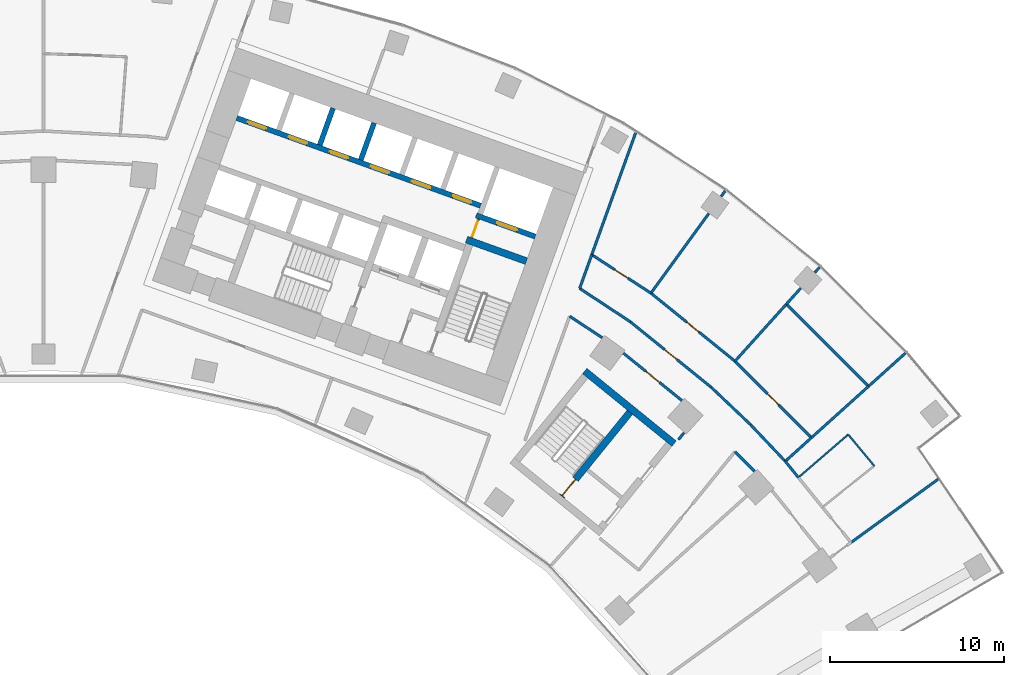
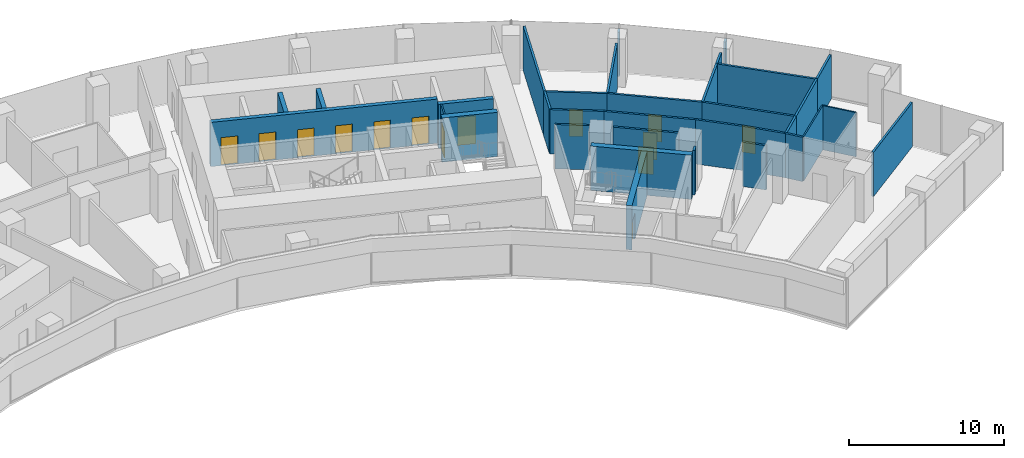
# One storey, part 17 of 20: 34 walls, 14 doors, 14 openings.
"""IFC4 building model written with IfcOpenShell, lengths in metres."""

from ifc_helpers import new_model, si_unit, direction, frame, frame_2d, origin, place, context, subcontext, project, spatial, rectangle, extrude, material, layer, layer_set, type_object, element, fill, save


model = new_model("IFC4")

# Units and contexts
model_context = context("Model", 3, precision=1e-05, world=origin(), true_north=direction((0.0, 1.0)))
body_context = subcontext(model_context, "Body", "Model", "MODEL_VIEW")
ifc_project = project(units=[si_unit("LENGTHUNIT", "METRE"), si_unit("AREAUNIT", "SQUARE_METRE"), si_unit("VOLUMEUNIT", "CUBIC_METRE"), si_unit("PLANEANGLEUNIT", "RADIAN"), si_unit("MASSUNIT", "GRAM", prefix="KILO")], contexts=[model_context])

# Site, building, storey
site_placement = place(None, origin())
site = spatial("IfcSite", under=ifc_project, at=site_placement, CompositionType="ELEMENT")
building_placement = place(site_placement, origin())
building = spatial("IfcBuilding", under=site, at=building_placement, Name="Stone Belt Terrace Tower", CompositionType="ELEMENT")
storey_placement = place(building_placement, frame((0.0, 0.0, 106.0)))
storey = spatial("IfcBuildingStorey", under=building, at=storey_placement, Name="L25", CompositionType="ELEMENT", Elevation=106.0)

# Wall, opening, door
ifc_material_1 = material(Name="Plasterboard partition")
ifc_layer_1 = layer(ifc_material_1, 0.10009765625)
ifc_layer_set_1 = layer_set([ifc_layer_1], Name="Core partition 100")
wall_type_1 = type_object("IfcWallType", Name="Core partition 100", PredefinedType="PARTITIONING", material=ifc_layer_set_1)
wall_1_placement = place(storey_placement, frame((24.555908203125, 51.10400390625, 0.0), z_axis=(0.0, 0.0, 1.0), x_axis=(0.338621735342, 0.94092258999, 0.0)))
wall_1 = element("IfcWall", 1, at=wall_1_placement, inside=storey, type_object=wall_type_1, Name="Core B wall", PredefinedType="PARTITIONING", context=body_context, shape_type="SweptSolid", body=[
    extrude(rectangle(XDim=1.14990234375, YDim=0.10009765625, at=frame_2d((0.574951171875, 0.0))), origin(), (0.0, 0.0, 1.0), 3.47998046875),
])
opening_1_placement = place(wall_1_placement, frame((0.050048828125, 0.0, 0.0)))
opening_1 = element("IfcOpeningElement", 2, at=opening_1_placement, cuts=wall_1, Name="Opening L25-C10", PredefinedType="OPENING", context=body_context, shape_type="SweptSolid", body=[
    extrude(rectangle(XDim=1.0, YDim=2.10009765625, at=frame_2d((0.5, 1.050048828125))), frame((0.0, 0.06005859375, 0.0), z_axis=(0.0, -1.0, 0.0), x_axis=(1.0, 0.0, 0.0)), (0.0, 0.0, 1.0), 0.1201171875),
])
ifc_material_2 = material(Name="Timber door leaf", Category="wood")
door_type_1 = type_object("IfcDoorType", Name="Core room door 1000", OperationType="SINGLE_SWING_LEFT", PredefinedType="DOOR", material=ifc_material_2)
door_1_placement = place(opening_1_placement, origin())
door_1 = element("IfcDoor", 3, at=door_1_placement, inside=storey, type_object=door_type_1, Name="Service lift lobby door core B", OperationType="SINGLE_SWING_LEFT", OverallHeight=2.10009765625, OverallWidth=1.0, PredefinedType="DOOR", context=body_context, shape_type="SweptSolid", body=[
    extrude(rectangle(XDim=1.0, YDim=2.10009765625, at=frame_2d((0.5, 1.050048828125))), frame((0.0, 0.02490234375, 0.0), z_axis=(0.0, -1.0, 0.0), x_axis=(1.0, 0.0, 0.0)), (0.0, 0.0, 1.0), 0.050048828125),
])
fill(opening_1, door_1)

ifc_material_3 = material(Name="Concrete B80", Category="concrete")
ifc_layer_2 = layer(ifc_material_3, 0.300048828125)
ifc_layer_set_2 = layer_set([ifc_layer_2], Name="Lift shaft wall 300")
wall_type_2 = type_object("IfcWallType", Name="Lift shaft wall 300", PredefinedType="SHEAR", material=ifc_layer_set_2)
wall_2_placement = place(storey_placement, frame((28.195068359375, 51.17578125, 0.0), z_axis=(0.0, 0.0, 1.0), x_axis=(-0.940901243567, 0.338681044427, 0.0)))
wall_2 = element("IfcWall", 4, at=wall_2_placement, inside=storey, type_object=wall_type_2, Name="Core B wall", PredefinedType="SHEAR", context=body_context, shape_type="SweptSolid", body=[
    extrude(rectangle(XDim=3.599853515625, YDim=0.300048828125, at=frame_2d((1.7998046875, 0.0))), origin(), (0.0, 0.0, 1.0), 3.47998046875),
])
opening_2_placement = place(wall_2_placement, frame((1.1201171875, 0.0, 0.0)))
opening_2 = element("IfcOpeningElement", 5, at=opening_2_placement, cuts=wall_2, Name="Opening L25-LD18", PredefinedType="OPENING", context=body_context, shape_type="SweptSolid", body=[
    extrude(rectangle(XDim=1.199951171875, YDim=2.199951171875, at=frame_2d((0.60009765625, 1.10009765625))), frame((0.0, 0.159912109375, 0.0), z_axis=(0.0, -1.0, 0.0), x_axis=(1.0, 0.0, 0.0)), (0.0, 0.0, 1.0), 0.320068359375),
])
ifc_material_4 = material(Name="Stainless steel door leaf", Category="steel")
door_type_2 = type_object("IfcDoorType", Name="Landing door 1200", OperationType="SLIDING_TO_LEFT", PredefinedType="DOOR", material=ifc_material_4)
door_2_placement = place(opening_2_placement, origin())
door_2 = element("IfcDoor", 6, at=door_2_placement, inside=storey, type_object=door_type_2, Name="Landing door SV1 core B", OperationType="SLIDING_TO_LEFT", OverallHeight=2.199951171875, OverallWidth=1.199951171875, PredefinedType="DOOR", context=body_context, shape_type="SweptSolid", body=[
    extrude(rectangle(XDim=1.199951171875, YDim=2.199951171875, at=frame_2d((0.60009765625, 1.10009765625))), frame((0.0, 0.02490234375, 0.0), z_axis=(0.0, -1.0, 0.0), x_axis=(1.0, 0.0, 0.0)), (0.0, 0.0, 1.0), 0.050048828125),
])
fill(opening_2, door_2)

# Wall, openings, doors
wall_3_placement = place(storey_placement, frame((25.05810546875, 52.9423828125, 0.0), z_axis=(0.0, 0.0, 1.0), x_axis=(-0.940918215764, 0.338633889685, 0.0)))
wall_3 = element("IfcWall", 7, at=wall_3_placement, inside=storey, type_object=wall_type_2, Name="Core B wall", PredefinedType="SHEAR", context=body_context, shape_type="SweptSolid", body=[
    extrude(rectangle(XDim=14.850341796875, YDim=0.300048828125, at=frame_2d((7.42529296875, 0.0))), origin(), (0.0, 0.0, 1.0), 3.47998046875),
])
opening_3_placement = place(wall_3_placement, frame((0.570068359375, 0.0, 0.0)))
opening_3 = element("IfcOpeningElement", 8, at=opening_3_placement, cuts=wall_3, Name="Opening L25-LD10", PredefinedType="OPENING", context=body_context, shape_type="SweptSolid", body=[
    extrude(rectangle(XDim=1.10009765625, YDim=2.199951171875, at=frame_2d((0.550048828125, 1.10009765625))), frame((0.0, 0.159912109375, 0.0), z_axis=(0.0, -1.0, 0.0), x_axis=(1.0, 0.0, 0.0)), (0.0, 0.0, 1.0), 0.320068359375),
])
opening_4_placement = place(wall_3_placement, frame((3.070068359375, 0.0, 0.0)))
opening_4 = element("IfcOpeningElement", 9, at=opening_4_placement, cuts=wall_3, Name="Opening L25-LD11", PredefinedType="OPENING", context=body_context, shape_type="SweptSolid", body=[
    extrude(rectangle(XDim=1.10009765625, YDim=2.199951171875, at=frame_2d((0.550048828125, 1.10009765625))), frame((0.0, 0.159912109375, 0.0), z_axis=(0.0, -1.0, 0.0), x_axis=(1.0, 0.0, 0.0)), (0.0, 0.0, 1.0), 0.320068359375),
])
opening_5_placement = place(wall_3_placement, frame((5.570068359375, 0.0, 0.0)))
opening_5 = element("IfcOpeningElement", 10, at=opening_5_placement, cuts=wall_3, Name="Opening L25-LD12", PredefinedType="OPENING", context=body_context, shape_type="SweptSolid", body=[
    extrude(rectangle(XDim=1.10009765625, YDim=2.199951171875, at=frame_2d((0.550048828125, 1.10009765625))), frame((0.0, 0.159912109375, 0.0), z_axis=(0.0, -1.0, 0.0), x_axis=(1.0, 0.0, 0.0)), (0.0, 0.0, 1.0), 0.320068359375),
])
opening_6_placement = place(wall_3_placement, frame((8.070068359375, 0.0, 0.0)))
opening_6 = element("IfcOpeningElement", 11, at=opening_6_placement, cuts=wall_3, Name="Opening L25-LD13", PredefinedType="OPENING", context=body_context, shape_type="SweptSolid", body=[
    extrude(rectangle(XDim=1.10009765625, YDim=2.199951171875, at=frame_2d((0.550048828125, 1.10009765625))), frame((0.0, 0.159912109375, 0.0), z_axis=(0.0, -1.0, 0.0), x_axis=(1.0, 0.0, 0.0)), (0.0, 0.0, 1.0), 0.320068359375),
])
opening_7_placement = place(wall_3_placement, frame((10.570068359375, 0.0, 0.0)))
opening_7 = element("IfcOpeningElement", 12, at=opening_7_placement, cuts=wall_3, Name="Opening L25-LD14", PredefinedType="OPENING", context=body_context, shape_type="SweptSolid", body=[
    extrude(rectangle(XDim=1.10009765625, YDim=2.199951171875, at=frame_2d((0.550048828125, 1.10009765625))), frame((0.0, 0.159912109375, 0.0), z_axis=(0.0, -1.0, 0.0), x_axis=(1.0, 0.0, 0.0)), (0.0, 0.0, 1.0), 0.320068359375),
])
opening_8_placement = place(wall_3_placement, frame((13.070068359375, 0.0, 0.0)))
opening_8 = element("IfcOpeningElement", 13, at=opening_8_placement, cuts=wall_3, Name="Opening L25-LD15", PredefinedType="OPENING", context=body_context, shape_type="SweptSolid", body=[
    extrude(rectangle(XDim=1.10009765625, YDim=2.199951171875, at=frame_2d((0.550048828125, 1.10009765625))), frame((0.0, 0.159912109375, 0.0), z_axis=(0.0, -1.0, 0.0), x_axis=(1.0, 0.0, 0.0)), (0.0, 0.0, 1.0), 0.320068359375),
])
door_type_3 = type_object("IfcDoorType", Name="Landing door 1100", OperationType="SLIDING_TO_LEFT", PredefinedType="DOOR", material=ifc_material_4)
door_3_placement = place(opening_3_placement, origin())
door_3 = element("IfcDoor", 14, at=door_3_placement, inside=storey, type_object=door_type_3, Name="Landing door LR1 core B", OperationType="SLIDING_TO_LEFT", OverallHeight=2.199951171875, OverallWidth=1.10009765625, PredefinedType="DOOR", context=body_context, shape_type="SweptSolid", body=[
    extrude(rectangle(XDim=1.10009765625, YDim=2.199951171875, at=frame_2d((0.550048828125, 1.10009765625))), frame((0.0, 0.02490234375, 0.0), z_axis=(0.0, -1.0, 0.0), x_axis=(1.0, 0.0, 0.0)), (0.0, 0.0, 1.0), 0.050048828125),
])
fill(opening_3, door_3)
door_4_placement = place(opening_4_placement, origin())
door_4 = element("IfcDoor", 15, at=door_4_placement, inside=storey, type_object=door_type_3, Name="Landing door LR2 core B", OperationType="SLIDING_TO_LEFT", OverallHeight=2.199951171875, OverallWidth=1.10009765625, PredefinedType="DOOR", context=body_context, shape_type="SweptSolid", body=[
    extrude(rectangle(XDim=1.10009765625, YDim=2.199951171875, at=frame_2d((0.550048828125, 1.10009765625))), frame((0.0, 0.02490234375, 0.0), z_axis=(0.0, -1.0, 0.0), x_axis=(1.0, 0.0, 0.0)), (0.0, 0.0, 1.0), 0.050048828125),
])
fill(opening_4, door_4)
door_5_placement = place(opening_5_placement, origin())
door_5 = element("IfcDoor", 16, at=door_5_placement, inside=storey, type_object=door_type_3, Name="Landing door LR3 core B", OperationType="SLIDING_TO_LEFT", OverallHeight=2.199951171875, OverallWidth=1.10009765625, PredefinedType="DOOR", context=body_context, shape_type="SweptSolid", body=[
    extrude(rectangle(XDim=1.10009765625, YDim=2.199951171875, at=frame_2d((0.550048828125, 1.10009765625))), frame((0.0, 0.02490234375, 0.0), z_axis=(0.0, -1.0, 0.0), x_axis=(1.0, 0.0, 0.0)), (0.0, 0.0, 1.0), 0.050048828125),
])
fill(opening_5, door_5)
door_6_placement = place(opening_6_placement, origin())
door_6 = element("IfcDoor", 17, at=door_6_placement, inside=storey, type_object=door_type_3, Name="Landing door LR4 core B", OperationType="SLIDING_TO_LEFT", OverallHeight=2.199951171875, OverallWidth=1.10009765625, PredefinedType="DOOR", context=body_context, shape_type="SweptSolid", body=[
    extrude(rectangle(XDim=1.10009765625, YDim=2.199951171875, at=frame_2d((0.550048828125, 1.10009765625))), frame((0.0, 0.02490234375, 0.0), z_axis=(0.0, -1.0, 0.0), x_axis=(1.0, 0.0, 0.0)), (0.0, 0.0, 1.0), 0.050048828125),
])
fill(opening_6, door_6)
door_7_placement = place(opening_7_placement, origin())
door_7 = element("IfcDoor", 18, at=door_7_placement, inside=storey, type_object=door_type_3, Name="Landing door LR5 core B", OperationType="SLIDING_TO_LEFT", OverallHeight=2.199951171875, OverallWidth=1.10009765625, PredefinedType="DOOR", context=body_context, shape_type="SweptSolid", body=[
    extrude(rectangle(XDim=1.10009765625, YDim=2.199951171875, at=frame_2d((0.550048828125, 1.10009765625))), frame((0.0, 0.02490234375, 0.0), z_axis=(0.0, -1.0, 0.0), x_axis=(1.0, 0.0, 0.0)), (0.0, 0.0, 1.0), 0.050048828125),
])
fill(opening_7, door_7)
door_8_placement = place(opening_8_placement, origin())
door_8 = element("IfcDoor", 19, at=door_8_placement, inside=storey, type_object=door_type_3, Name="Landing door LR6 core B", OperationType="SLIDING_TO_LEFT", OverallHeight=2.199951171875, OverallWidth=1.10009765625, PredefinedType="DOOR", context=body_context, shape_type="SweptSolid", body=[
    extrude(rectangle(XDim=1.10009765625, YDim=2.199951171875, at=frame_2d((0.550048828125, 1.10009765625))), frame((0.0, 0.02490234375, 0.0), z_axis=(0.0, -1.0, 0.0), x_axis=(1.0, 0.0, 0.0)), (0.0, 0.0, 1.0), 0.050048828125),
])
fill(opening_8, door_8)

# Walls
wall_4_placement = place(storey_placement, frame((18.193115234375, 55.572509765625, 0.0), z_axis=(0.0, 0.0, 1.0), x_axis=(0.338535034312, 0.940953787677, 0.0)))
element("IfcWall", 20, at=wall_4_placement, inside=storey, type_object=wall_type_2, Name="Core B wall", PredefinedType="SHEAR", context=body_context, shape_type="SweptSolid", body=[
    extrude(rectangle(XDim=2.25, YDim=0.300048828125, at=frame_2d((1.125, 0.0))), origin(), (0.0, 0.0, 1.0), 3.47998046875),
])
wall_5_placement = place(storey_placement, frame((15.8408203125, 56.419189453125, 0.0), z_axis=(0.0, 0.0, 1.0), x_axis=(0.338569601369, 0.940941350472, 0.0)))
element("IfcWall", 21, at=wall_5_placement, inside=storey, type_object=wall_type_2, Name="Core B wall", PredefinedType="SHEAR", context=body_context, shape_type="SweptSolid", body=[
    extrude(rectangle(XDim=2.249755859375, YDim=0.300048828125, at=frame_2d((1.125, 0.0))), origin(), (0.0, 0.0, 1.0), 3.47998046875),
])
ifc_material_5 = material(Name="Gypsum board partition")
ifc_layer_3 = layer(ifc_material_5, 0.10009765625)
ifc_layer_set_3 = layer_set([ifc_layer_3], Name="PARTITION 100")
wall_type_3 = type_object("IfcWallType", Name="PARTITION 100", PredefinedType="PARTITIONING", material=ifc_layer_set_3)
wall_6_placement = place(storey_placement, frame((47.6259765625, 38.029052734375, 0.0), z_axis=(0.0, 0.0, 1.0), x_axis=(-0.638805581323, 0.769368201364, 0.0)))
element("IfcWall", 22, at=wall_6_placement, inside=storey, type_object=wall_type_3, Name="L25/wall/i081", PredefinedType="PARTITIONING", context=body_context, shape_type="SweptSolid", body=[
    extrude(rectangle(XDim=2.33544921875, YDim=0.10009765625, at=frame_2d((1.167724609375, 0.0))), origin(), (0.0, 0.0, 1.0), 3.47998046875),
])
wall_7_placement = place(storey_placement, frame((46.134033203125, 39.825927734375, 0.0), z_axis=(0.0, 0.0, 1.0), x_axis=(-0.757058777307, -0.653346774464, 0.0)))
element("IfcWall", 23, at=wall_7_placement, inside=storey, type_object=wall_type_3, Name="L25/wall/i082", PredefinedType="PARTITIONING", context=body_context, shape_type="SweptSolid", body=[
    extrude(rectangle(XDim=3.771240234375, YDim=0.10009765625, at=frame_2d((1.8857421875, 0.0))), origin(), (0.0, 0.0, 1.0), 3.47998046875),
])
ifc_layer_4 = layer(ifc_material_5, 0.14990234375)
ifc_layer_set_4 = layer_set([ifc_layer_4], Name="PARTITION 150 EI 60")
wall_type_4 = type_object("IfcWallType", Name="PARTITION 150 EI 60", PredefinedType="PARTITIONING", material=ifc_layer_set_4)
wall_8_placement = place(storey_placement, frame((31.43603515625, 50.139892578125, 0.0), z_axis=(0.0, 0.0, 1.0), x_axis=(-0.338522672426, -0.940958235127, 0.0)))
element("IfcWall", 24, at=wall_8_placement, inside=storey, type_object=wall_type_4, Name="L25/wall/i022", PredefinedType="PARTITIONING", context=body_context, shape_type="SweptSolid", body=[
    extrude(rectangle(XDim=2.064697265625, YDim=0.14990234375, at=frame_2d((1.0322265625, 0.0))), origin(), (0.0, 0.0, 1.0), 3.47998046875),
])
wall_9_placement = place(storey_placement, frame((33.951904296875, 57.131103515625, 0.0), z_axis=(0.0, 0.0, 1.0), x_axis=(-0.338585885873, -0.940935490822, 0.0)))
element("IfcWall", 25, at=wall_9_placement, inside=storey, type_object=wall_type_4, Name="L25/wall/i023", PredefinedType="PARTITIONING", context=body_context, shape_type="SweptSolid", body=[
    extrude(rectangle(XDim=7.44287109375, YDim=0.14990234375, at=frame_2d((3.721435546875, 0.0))), origin(), (0.0, 0.0, 1.0), 3.47998046875),
])
wall_10_placement = place(storey_placement, frame((46.291015625, 33.632080078125, 0.0), z_axis=(0.0, 0.0, 1.0), x_axis=(0.809007988274, 0.587797647927, 0.0)))
element("IfcWall", 26, at=wall_10_placement, inside=storey, type_object=wall_type_4, Name="L25/wall/i052", PredefinedType="PARTITIONING", context=body_context, shape_type="SweptSolid", body=[
    extrude(rectangle(XDim=6.171630859375, YDim=0.14990234375, at=frame_2d((3.0859375, 0.0))), origin(), (0.0, 0.0, 1.0), 3.47998046875),
])

# Wall, opening, door
wall_11_placement = place(storey_placement, frame((36.599365234375, 41.77587890625, 0.0), z_axis=(0.0, 0.0, 1.0), x_axis=(-0.777153738144, 0.62931078752, 0.0)))
wall_11 = element("IfcWall", 27, at=wall_11_placement, inside=storey, type_object=wall_type_4, Name="L25/wall/i053", PredefinedType="PARTITIONING", context=body_context, shape_type="SweptSolid", body=[
    extrude(rectangle(XDim=4.30517578125, YDim=0.14990234375, at=frame_2d((2.152587890625, 0.0))), origin(), (0.0, 0.0, 1.0), 3.47998046875),
])
opening_9_placement = place(wall_11_placement, frame((1.652587890625, 0.0, 0.0)))
opening_9 = element("IfcOpeningElement", 28, at=opening_9_placement, cuts=wall_11, Name="Opening D-B3-17", PredefinedType="OPENING", context=body_context, shape_type="SweptSolid", body=[
    extrude(rectangle(XDim=1.0, YDim=2.10009765625, at=frame_2d((0.5, 1.050048828125))), frame((0.0, 0.0849609375, 0.0), z_axis=(0.0, -1.0, 0.0), x_axis=(1.0, 0.0, 0.0)), (0.0, 0.0, 1.0), 0.169921875),
])
ifc_material_6 = material(Name="Timber fire door leaf", Category="wood")
door_type_4 = type_object("IfcDoorType", Name="TENANCY ENTRANCE DOOR 1000 X 2100", OperationType="NOTDEFINED", PredefinedType="DOOR", material=ifc_material_6)
door_9_placement = place(opening_9_placement, origin())
door_9 = element("IfcDoor", 29, at=door_9_placement, inside=storey, type_object=door_type_4, Name="L25/door/i17", OperationType="SINGLE_SWING_RIGHT", OverallHeight=2.10009765625, OverallWidth=1.0, PredefinedType="DOOR", context=body_context, shape_type="SweptSolid", body=[
    extrude(rectangle(XDim=1.0, YDim=2.10009765625, at=frame_2d((0.5, 1.050048828125))), frame((0.0, 0.02490234375, 0.0), z_axis=(0.0, -1.0, 0.0), x_axis=(1.0, 0.0, 0.0)), (0.0, 0.0, 1.0), 0.050048828125),
])
fill(opening_9, door_9)

# Walls
wall_12_placement = place(storey_placement, frame((32.03466796875, 45.37646484375, 0.0), z_axis=(0.0, 0.0, 1.0), x_axis=(-0.835456606052, 0.549556420583, 0.0)))
element("IfcWall", 30, at=wall_12_placement, inside=storey, type_object=wall_type_4, Name="L25/wall/i054", PredefinedType="PARTITIONING", context=body_context, shape_type="SweptSolid", body=[
    extrude(rectangle(XDim=2.239013671875, YDim=0.14990234375, at=frame_2d((1.11962890625, 0.0))), origin(), (0.0, 0.0, 1.0), 3.47998046875),
])
wall_13_placement = place(storey_placement, frame((30.739013671875, 48.202880859375, 0.0), z_axis=(0.0, 0.0, 1.0), x_axis=(0.835274160171, -0.549833681535, 0.0)))
element("IfcWall", 31, at=wall_13_placement, inside=storey, type_object=wall_type_4, Name="L25/wall/i055", PredefinedType="PARTITIONING", context=body_context, shape_type="SweptSolid", body=[
    extrude(rectangle(XDim=3.46826171875, YDim=0.14990234375, at=frame_2d((1.734130859375, 0.0))), origin(), (0.0, 0.0, 1.0), 3.47998046875),
])

# Wall, opening, door
wall_14_placement = place(storey_placement, frame((33.635986328125, 46.2958984375, 0.0), z_axis=(0.0, 0.0, 1.0), x_axis=(0.777109127033, -0.629365875054, 0.0)))
wall_14 = element("IfcWall", 32, at=wall_14_placement, inside=storey, type_object=wall_type_4, Name="L25/wall/i056", PredefinedType="PARTITIONING", context=body_context, shape_type="SweptSolid", body=[
    extrude(rectangle(XDim=5.990234375, YDim=0.14990234375, at=frame_2d((2.9951171875, 0.0))), origin(), (0.0, 0.0, 1.0), 3.47998046875),
])
opening_10_placement = place(wall_14_placement, frame((2.545166015625, 0.0, 0.0)))
opening_10 = element("IfcOpeningElement", 33, at=opening_10_placement, cuts=wall_14, Name="Opening D-B3-20", PredefinedType="OPENING", context=body_context, shape_type="SweptSolid", body=[
    extrude(rectangle(XDim=0.89990234375, YDim=2.10009765625, at=frame_2d((0.449951171875, 1.050048828125))), frame((0.0, 0.0849609375, 0.0), z_axis=(0.0, -1.0, 0.0), x_axis=(1.0, 0.0, 0.0)), (0.0, 0.0, 1.0), 0.169921875),
])
door_type_5 = type_object("IfcDoorType", Name="OFFICE DOOR 900 X 2100", OperationType="NOTDEFINED", PredefinedType="DOOR", material=ifc_material_2)
door_10_placement = place(opening_10_placement, origin())
door_10 = element("IfcDoor", 34, at=door_10_placement, inside=storey, type_object=door_type_5, Name="L25/door/i20", OperationType="SINGLE_SWING_RIGHT", OverallHeight=2.10009765625, OverallWidth=0.89990234375, PredefinedType="DOOR", context=body_context, shape_type="SweptSolid", body=[
    extrude(rectangle(XDim=0.89990234375, YDim=2.10009765625, at=frame_2d((0.449951171875, 1.050048828125))), frame((0.0, 0.02490234375, 0.0), z_axis=(0.0, -1.0, 0.0), x_axis=(1.0, 0.0, 0.0)), (0.0, 0.0, 1.0), 0.050048828125),
])
fill(opening_10, door_10)

# Walls
wall_15_placement = place(storey_placement, frame((38.291015625, 42.52587890625, 0.0), z_axis=(0.0, 0.0, 1.0), x_axis=(0.724835843729, -0.688921620829, 0.0)))
element("IfcWall", 35, at=wall_15_placement, inside=storey, type_object=wall_type_4, Name="L25/wall/i057", PredefinedType="PARTITIONING", context=body_context, shape_type="SweptSolid", body=[
    extrude(rectangle(XDim=3.093017578125, YDim=0.14990234375, at=frame_2d((1.54638671875, 0.0))), origin(), (0.0, 0.0, 1.0), 3.47998046875),
])
wall_16_placement = place(storey_placement, frame((40.765625, 37.721435546875, 0.0), z_axis=(0.0, 0.0, 1.0), x_axis=(-0.707106781187, 0.707106781187, 0.0)))
element("IfcWall", 36, at=wall_16_placement, inside=storey, type_object=wall_type_4, Name="L25/wall/i058", PredefinedType="PARTITIONING", context=body_context, shape_type="SweptSolid", body=[
    extrude(rectangle(XDim=1.587646484375, YDim=0.14990234375, at=frame_2d((0.7939453125, 0.0))), origin(), (0.0, 0.0, 1.0), 3.47998046875),
])
wall_17_placement = place(storey_placement, frame((40.532958984375, 40.39501953125, 0.0), z_axis=(0.0, 0.0, 1.0), x_axis=(0.687681554755, -0.726012451167, 0.0)))
element("IfcWall", 37, at=wall_17_placement, inside=storey, type_object=wall_type_4, Name="L25/wall/i060", PredefinedType="PARTITIONING", context=body_context, shape_type="SweptSolid", body=[
    extrude(rectangle(XDim=2.89794921875, YDim=0.14990234375, at=frame_2d((1.448974609375, 0.0))), origin(), (0.0, 0.0, 1.0), 3.47998046875),
])
wall_18_placement = place(storey_placement, frame((42.527099609375, 38.2900390625, 0.0), z_axis=(0.0, 0.0, 1.0), x_axis=(0.628952429946, -0.777443786305, 0.0)))
element("IfcWall", 38, at=wall_18_placement, inside=storey, type_object=wall_type_4, Name="L25/wall/i061", PredefinedType="PARTITIONING", context=body_context, shape_type="SweptSolid", body=[
    extrude(rectangle(XDim=1.2001953125, YDim=0.14990234375, at=frame_2d((0.60009765625, 0.0))), origin(), (0.0, 0.0, 1.0), 3.47998046875),
])
wall_19_placement = place(storey_placement, frame((36.406005859375, 39.537109375, 0.0), z_axis=(0.0, 0.0, 1.0), x_axis=(0.630355285391, 0.776306778393, 0.0)))
element("IfcWall", 39, at=wall_19_placement, inside=storey, type_object=wall_type_4, Name="L25/wall/i064", PredefinedType="PARTITIONING", context=body_context, shape_type="SweptSolid", body=[
    extrude(rectangle(XDim=0.50341796875, YDim=0.14990234375, at=frame_2d((0.251708984375, 0.0))), origin(), (0.0, 0.0, 1.0), 3.47998046875),
])

# Wall, opening, door
wall_20_placement = place(storey_placement, frame((31.43408203125, 50.134033203125, 0.0), z_axis=(0.0, 0.0, 1.0), x_axis=(0.838660143757, -0.544655086521, 0.0)))
wall_20 = element("IfcWall", 40, at=wall_20_placement, inside=storey, type_object=wall_type_4, Name="L25/wall/i068", PredefinedType="PARTITIONING", context=body_context, shape_type="SweptSolid", body=[
    extrude(rectangle(XDim=4.043212890625, YDim=0.14990234375, at=frame_2d((2.021484375, 0.0))), origin(), (0.0, 0.0, 1.0), 3.47998046875),
])
opening_11_placement = place(wall_20_placement, frame((1.571533203125, 0.0, 0.0)))
opening_11 = element("IfcOpeningElement", 41, at=opening_11_placement, cuts=wall_20, Name="Opening D-B3-21", PredefinedType="OPENING", context=body_context, shape_type="SweptSolid", body=[
    extrude(rectangle(XDim=0.89990234375, YDim=2.10009765625, at=frame_2d((0.449951171875, 1.050048828125))), frame((0.0, 0.0849609375, 0.0), z_axis=(0.0, -1.0, 0.0), x_axis=(1.0, 0.0, 0.0)), (0.0, 0.0, 1.0), 0.169921875),
])
door_11_placement = place(opening_11_placement, origin())
door_11 = element("IfcDoor", 42, at=door_11_placement, inside=storey, type_object=door_type_5, Name="L25/door/i21", OperationType="SINGLE_SWING_RIGHT", OverallHeight=2.10009765625, OverallWidth=0.89990234375, PredefinedType="DOOR", context=body_context, shape_type="SweptSolid", body=[
    extrude(rectangle(XDim=0.89990234375, YDim=2.10009765625, at=frame_2d((0.449951171875, 1.050048828125))), frame((0.0, 0.02490234375, 0.0), z_axis=(0.0, -1.0, 0.0), x_axis=(1.0, 0.0, 0.0)), (0.0, 0.0, 1.0), 0.050048828125),
])
fill(opening_11, door_11)

wall_21_placement = place(storey_placement, frame((34.824951171875, 47.931884765625, 0.0), z_axis=(0.0, 0.0, 1.0), x_axis=(0.777190769916, -0.629265053184, 0.0)))
wall_21 = element("IfcWall", 43, at=wall_21_placement, inside=storey, type_object=wall_type_4, Name="L25/wall/i069", PredefinedType="PARTITIONING", context=body_context, shape_type="SweptSolid", body=[
    extrude(rectangle(XDim=6.20068359375, YDim=0.14990234375, at=frame_2d((3.100341796875, 0.0))), origin(), (0.0, 0.0, 1.0), 3.47998046875),
])
opening_12_placement = place(wall_21_placement, frame((2.650390625, 0.0, 0.0)))
opening_12 = element("IfcOpeningElement", 44, at=opening_12_placement, cuts=wall_21, Name="Opening D-B3-22", PredefinedType="OPENING", context=body_context, shape_type="SweptSolid", body=[
    extrude(rectangle(XDim=0.89990234375, YDim=2.10009765625, at=frame_2d((0.449951171875, 1.050048828125))), frame((0.0, 0.0849609375, 0.0), z_axis=(0.0, -1.0, 0.0), x_axis=(1.0, 0.0, 0.0)), (0.0, 0.0, 1.0), 0.169921875),
])
door_12_placement = place(opening_12_placement, origin())
door_12 = element("IfcDoor", 45, at=door_12_placement, inside=storey, type_object=door_type_5, Name="L25/door/i22", OperationType="SINGLE_SWING_RIGHT", OverallHeight=2.10009765625, OverallWidth=0.89990234375, PredefinedType="DOOR", context=body_context, shape_type="SweptSolid", body=[
    extrude(rectangle(XDim=0.89990234375, YDim=2.10009765625, at=frame_2d((0.449951171875, 1.050048828125))), frame((0.0, 0.02490234375, 0.0), z_axis=(0.0, -1.0, 0.0), x_axis=(1.0, 0.0, 0.0)), (0.0, 0.0, 1.0), 0.050048828125),
])
fill(opening_12, door_12)

wall_22_placement = place(storey_placement, frame((39.639892578125, 44.033935546875, 0.0), z_axis=(0.0, 0.0, 1.0), x_axis=(0.707126447351, -0.707087114475, 0.0)))
wall_22 = element("IfcWall", 46, at=wall_22_placement, inside=storey, type_object=wall_type_4, Name="L25/wall/i070", PredefinedType="PARTITIONING", context=body_context, shape_type="SweptSolid", body=[
    extrude(rectangle(XDim=6.20703125, YDim=0.14990234375, at=frame_2d((3.103515625, 0.0))), origin(), (0.0, 0.0, 1.0), 3.47998046875),
])
opening_13_placement = place(wall_22_placement, frame((2.653564453125, 0.0, 0.0)))
opening_13 = element("IfcOpeningElement", 47, at=opening_13_placement, cuts=wall_22, Name="Opening D-B3-23", PredefinedType="OPENING", context=body_context, shape_type="SweptSolid", body=[
    extrude(rectangle(XDim=0.89990234375, YDim=2.10009765625, at=frame_2d((0.449951171875, 1.050048828125))), frame((0.0, 0.0849609375, 0.0), z_axis=(0.0, -1.0, 0.0), x_axis=(1.0, 0.0, 0.0)), (0.0, 0.0, 1.0), 0.169921875),
])
door_13_placement = place(opening_13_placement, origin())
door_13 = element("IfcDoor", 48, at=door_13_placement, inside=storey, type_object=door_type_5, Name="L25/door/i23", OperationType="SINGLE_SWING_RIGHT", OverallHeight=2.10009765625, OverallWidth=0.89990234375, PredefinedType="DOOR", context=body_context, shape_type="SweptSolid", body=[
    extrude(rectangle(XDim=0.89990234375, YDim=2.10009765625, at=frame_2d((0.449951171875, 1.050048828125))), frame((0.0, 0.02490234375, 0.0), z_axis=(0.0, -1.0, 0.0), x_axis=(1.0, 0.0, 0.0)), (0.0, 0.0, 1.0), 0.050048828125),
])
fill(opening_13, door_13)

# Walls
wall_23_placement = place(storey_placement, frame((44.029052734375, 39.64501953125, 0.0), z_axis=(0.0, 0.0, 1.0), x_axis=(-0.743012054614, -0.669278033927, 0.0)))
element("IfcWall", 49, at=wall_23_placement, inside=storey, type_object=wall_type_4, Name="L25/wall/i071", PredefinedType="PARTITIONING", context=body_context, shape_type="SweptSolid", body=[
    extrude(rectangle(XDim=2.023193359375, YDim=0.14990234375, at=frame_2d((1.01171875, 0.0))), origin(), (0.0, 0.0, 1.0), 3.47998046875),
])
wall_24_placement = place(storey_placement, frame((39.087890625, 53.7998046875, 0.0), z_axis=(0.0, 0.0, 1.0), x_axis=(-0.588207421816, -0.808710101904, 0.0)))
element("IfcWall", 50, at=wall_24_placement, inside=storey, type_object=wall_type_4, Name="L25/wall/i072", PredefinedType="PARTITIONING", context=body_context, shape_type="SweptSolid", body=[
    extrude(rectangle(XDim=0.40625, YDim=0.14990234375, at=frame_2d((0.203125, 0.0))), origin(), (0.0, 0.0, 1.0), 3.47998046875),
])
wall_25_placement = place(storey_placement, frame((38.1376953125, 52.4921875, 0.0), z_axis=(0.0, 0.0, 1.0), x_axis=(-0.587726060758, -0.809059996234, 0.0)))
element("IfcWall", 51, at=wall_25_placement, inside=storey, type_object=wall_type_4, Name="L25/wall/i073", PredefinedType="PARTITIONING", context=body_context, shape_type="SweptSolid", body=[
    extrude(rectangle(XDim=5.636474609375, YDim=0.14990234375, at=frame_2d((2.818359375, 0.0))), origin(), (0.0, 0.0, 1.0), 3.47998046875),
])
wall_26_placement = place(storey_placement, frame((42.592041015625, 47.303955078125, 0.0), z_axis=(0.0, 0.0, 1.0), x_axis=(-0.669148410698, -0.743128793992, 0.0)))
element("IfcWall", 52, at=wall_26_placement, inside=storey, type_object=wall_type_4, Name="L25/wall/i074", PredefinedType="PARTITIONING", context=body_context, shape_type="SweptSolid", body=[
    extrude(rectangle(XDim=4.405517578125, YDim=0.14990234375, at=frame_2d((2.20263671875, 0.0))), origin(), (0.0, 0.0, 1.0), 3.47998046875),
])
wall_27_placement = place(storey_placement, frame((44.496826171875, 49.419189453125, 0.0), z_axis=(0.0, 0.0, 1.0), x_axis=(-0.669463057056, -0.742845350821, 0.0)))
element("IfcWall", 53, at=wall_27_placement, inside=storey, type_object=wall_type_4, Name="L25/wall/i075", PredefinedType="PARTITIONING", context=body_context, shape_type="SweptSolid", body=[
    extrude(rectangle(XDim=0.406005859375, YDim=0.14990234375, at=frame_2d((0.203125, 0.0))), origin(), (0.0, 0.0, 1.0), 3.47998046875),
])
wall_28_placement = place(storey_placement, frame((43.415283203125, 48.218505859375, 0.0), z_axis=(0.0, 0.0, 1.0), x_axis=(-0.669388214241, -0.742912793426, 0.0)))
element("IfcWall", 54, at=wall_28_placement, inside=storey, type_object=wall_type_4, Name="L25/wall/i076", PredefinedType="PARTITIONING", context=body_context, shape_type="SweptSolid", body=[
    extrude(rectangle(XDim=1.241943359375, YDim=0.14990234375, at=frame_2d((0.62109375, 0.0))), origin(), (0.0, 0.0, 1.0), 3.47998046875),
])
wall_29_placement = place(storey_placement, frame((42.587890625, 47.300048828125, 0.0), z_axis=(0.0, 0.0, 1.0), x_axis=(0.7071251031, -0.707088458798, 0.0)))
element("IfcWall", 55, at=wall_29_placement, inside=storey, type_object=wall_type_4, Name="L25/wall/i077", PredefinedType="PARTITIONING", context=body_context, shape_type="SweptSolid", body=[
    extrude(rectangle(XDim=6.662353515625, YDim=0.14990234375, at=frame_2d((3.3310546875, 0.0))), origin(), (0.0, 0.0, 1.0), 3.47998046875),
])
wall_30_placement = place(storey_placement, frame((47.299072265625, 42.589111328125, 0.0), z_axis=(0.0, 0.0, 1.0), x_axis=(-0.743172740326, -0.669099602478, 0.0)))
element("IfcWall", 56, at=wall_30_placement, inside=storey, type_object=wall_type_4, Name="L25/wall/i078", PredefinedType="PARTITIONING", context=body_context, shape_type="SweptSolid", body=[
    extrude(rectangle(XDim=4.400146484375, YDim=0.14990234375, at=frame_2d((2.2001953125, 0.0))), origin(), (0.0, 0.0, 1.0), 3.47998046875),
])
wall_31_placement = place(storey_placement, frame((49.41943359375, 44.496826171875, 0.0), z_axis=(0.0, 0.0, 1.0), x_axis=(-0.743400540609, -0.668846496755, 0.0)))
element("IfcWall", 57, at=wall_31_placement, inside=storey, type_object=wall_type_4, Name="L25/wall/i079", PredefinedType="PARTITIONING", context=body_context, shape_type="SweptSolid", body=[
    extrude(rectangle(XDim=2.852294921875, YDim=0.14990234375, at=frame_2d((1.42626953125, 0.0))), origin(), (0.0, 0.0, 1.0), 3.47998046875),
])
ifc_layer_5 = layer(ifc_material_3, 0.39990234375)
ifc_layer_set_5 = layer_set([ifc_layer_5], Name="Stair enclosure wall 400")
wall_type_5 = type_object("IfcWallType", Name="Stair enclosure wall 400", PredefinedType="SHEAR", material=ifc_layer_set_5)
wall_32_placement = place(storey_placement, frame((27.687255859375, 49.764404296875, 0.0), z_axis=(0.0, 0.0, 1.0), x_axis=(-0.940918954884, 0.338631835981, 0.0)))
element("IfcWall", 58, at=wall_32_placement, inside=storey, type_object=wall_type_5, Name="Core B wall", PredefinedType="SHEAR", context=body_context, shape_type="SweptSolid", body=[
    extrude(rectangle(XDim=3.650146484375, YDim=0.39990234375, at=frame_2d((1.8251953125, 0.0))), origin(), (0.0, 0.0, 1.0), 3.47998046875),
])
wall_33_placement = place(storey_placement, frame((31.02783203125, 43.46337890625, 0.0), z_axis=(0.0, 0.0, 1.0), x_axis=(0.776413760801, -0.630223509589, 0.0)))
element("IfcWall", 59, at=wall_33_placement, inside=storey, type_object=wall_type_5, Name="Exit stair ST3B wall", PredefinedType="SHEAR", context=body_context, shape_type="SweptSolid", body=[
    extrude(rectangle(XDim=6.599853515625, YDim=0.39990234375, at=frame_2d((3.2998046875, 0.0))), origin(), (0.0, 0.0, 1.0), 3.47998046875),
])

# Wall, opening, door
wall_34_placement = place(storey_placement, frame((29.7119140625, 36.288330078125, 0.0), z_axis=(0.0, 0.0, 1.0), x_axis=(0.630192283849, 0.776439106033, 0.0)))
wall_34 = element("IfcWall", 60, at=wall_34_placement, inside=storey, type_object=wall_type_5, Name="Exit stair ST3B wall", PredefinedType="SHEAR", context=body_context, shape_type="SweptSolid", body=[
    extrude(rectangle(XDim=6.199951171875, YDim=0.39990234375, at=frame_2d((3.10009765625, 0.0))), origin(), (0.0, 0.0, 1.0), 3.47998046875),
])
opening_14_placement = place(wall_34_placement, frame((0.050048828125, 0.0, 0.0)))
opening_14 = element("IfcOpeningElement", 61, at=opening_14_placement, cuts=wall_34, Name="Opening L25-C22", PredefinedType="OPENING", context=body_context, shape_type="SweptSolid", body=[
    extrude(rectangle(XDim=1.199951171875, YDim=2.10009765625, at=frame_2d((0.60009765625, 1.050048828125))), frame((0.0, 0.2099609375, 0.0), z_axis=(0.0, -1.0, 0.0), x_axis=(1.0, 0.0, 0.0)), (0.0, 0.0, 1.0), 0.419921875),
])
ifc_material_7 = material(Name="Steel door leaf", Category="steel")
door_type_6 = type_object("IfcDoorType", Name="Stair door 1200", OperationType="SINGLE_SWING_LEFT", PredefinedType="DOOR", material=ifc_material_7)
door_14_placement = place(opening_14_placement, origin())
door_14 = element("IfcDoor", 62, at=door_14_placement, inside=storey, type_object=door_type_6, Name="Stair door ST3B", OperationType="SINGLE_SWING_LEFT", OverallHeight=2.10009765625, OverallWidth=1.199951171875, PredefinedType="DOOR", context=body_context, shape_type="SweptSolid", body=[
    extrude(rectangle(XDim=1.199951171875, YDim=2.10009765625, at=frame_2d((0.60009765625, 1.050048828125))), frame((0.0, 0.02490234375, 0.0), z_axis=(0.0, -1.0, 0.0), x_axis=(1.0, 0.0, 0.0)), (0.0, 0.0, 1.0), 0.050048828125),
])
fill(opening_14, door_14)

save(model, "model.ifc")
